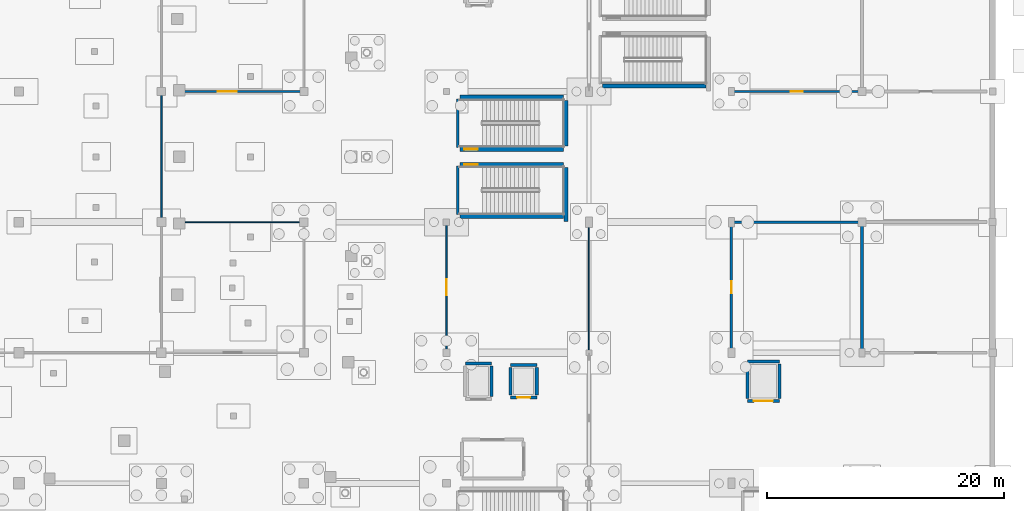
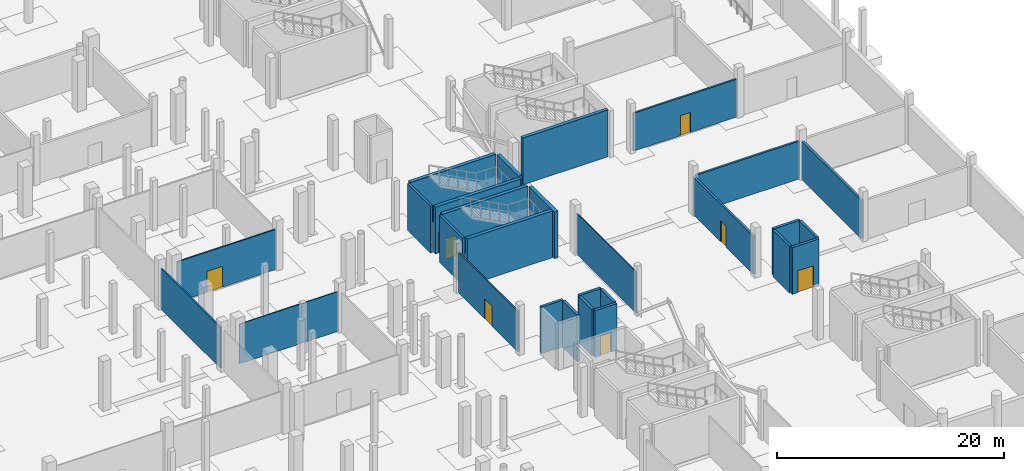
# One storey, part 37 of 60: 28 walls, 8 doors, 8 openings.
"""IFC4 building model written with IfcOpenShell, lengths in metres."""

from ifc_helpers import new_model, si_unit, direction, frame, frame_2d, origin, place, context, subcontext, project, spatial, rectangle, extrude, material, layer, layer_set, type_object, element, fill, save


model = new_model("IFC4")

# Units and contexts
model_context = context("Model", 3, precision=1e-05, world=origin(), true_north=direction((0.0, 1.0)))
body_context = subcontext(model_context, "Body", "Model", "MODEL_VIEW")
ifc_project = project(units=[si_unit("LENGTHUNIT", "METRE"), si_unit("AREAUNIT", "SQUARE_METRE"), si_unit("VOLUMEUNIT", "CUBIC_METRE"), si_unit("PLANEANGLEUNIT", "RADIAN"), si_unit("MASSUNIT", "GRAM", prefix="KILO")], contexts=[model_context])

# Site, building, storey
site_placement = place(None, origin())
site = spatial("IfcSite", under=ifc_project, at=site_placement, CompositionType="ELEMENT")
building_placement = place(site_placement, origin())
building = spatial("IfcBuilding", under=site, at=building_placement, Name="Luwafu Chhajja Arena", CompositionType="ELEMENT")
storey_placement = place(building_placement, frame((0.0, 0.0, -5.39990234375)))
storey = spatial("IfcBuildingStorey", under=building, at=storey_placement, Name="B1", CompositionType="ELEMENT", Elevation=-5.39990234375)

# Walls
ifc_material_1 = material(Name="Acoustic gypsum and mineral wool partition")
ifc_layer_1 = layer(ifc_material_1, 0.199951171875, Name="Acoustic gypsum and mineral wool partition")
ifc_layer_set_1 = layer_set([ifc_layer_1], Name="Acoustic gypsum and mineral wool partition")
wall_type_1 = type_object("IfcWallType", Name="Acoustic Broadcast Studio Partition 200", PredefinedType="PARTITIONING", material=ifc_layer_set_1)
wall_1_placement = place(storey_placement, frame((176.219970703125, 44.0, 0.0), z_axis=(0.0, 0.0, 1.0), x_axis=(1.0, 0.0, 0.0)))
element("IfcWall", 1, at=wall_1_placement, inside=storey, type_object=wall_type_1, Name="B1 Internal Partition 0088", PredefinedType="PARTITIONING", context=body_context, shape_type="SweptSolid", body=[
    extrude(rectangle(XDim=10.56005859375, YDim=0.199951171875, at=frame_2d((5.280029296875, 0.0))), origin(), (0.0, 0.0, 1.0), 4.079833984375),
])
ifc_material_2 = material(Name="Concrete blockwork masonry", Category="masonry")
ifc_layer_2 = layer(ifc_material_2, 0.239990234375, Name="Concrete blockwork masonry")
ifc_layer_set_2 = layer_set([ifc_layer_2], Name="Concrete blockwork masonry")
wall_type_2 = type_object("IfcWallType", Name="Compartment Masonry Partition 240", PredefinedType="PARTITIONING", material=ifc_layer_set_2)
wall_2_placement = place(storey_placement, frame((187.0, 33.219970703125, 0.0), z_axis=(0.0, 0.0, 1.0), x_axis=(0.0, 1.0, 0.0)))
element("IfcWall", 2, at=wall_2_placement, inside=storey, type_object=wall_type_2, Name="B1 Internal Partition 0134", PredefinedType="PARTITIONING", context=body_context, shape_type="SweptSolid", body=[
    extrude(rectangle(XDim=10.56005859375, YDim=0.239990234375, at=frame_2d((5.280029296875, 0.0))), origin(), (0.0, 0.0, 1.0), 4.1298828125),
])
ifc_material_3 = material(Name="Lightweight blockwork partition", Category="masonry")
ifc_layer_3 = layer(ifc_material_3, 0.139892578125, Name="Lightweight blockwork partition")
ifc_layer_set_3 = layer_set([ifc_layer_3], Name="Lightweight blockwork partition")
wall_type_3 = type_object("IfcWallType", Name="Concourse Kiosk Partition 140", PredefinedType="PARTITIONING", material=ifc_layer_set_3)
wall_3_placement = place(storey_placement, frame((128.0, 44.219970703125, 0.0), z_axis=(0.0, 0.0, 1.0), x_axis=(0.0, 1.0, 0.0)))
element("IfcWall", 3, at=wall_3_placement, inside=storey, type_object=wall_type_3, Name="B1 Internal Partition 0012", PredefinedType="PARTITIONING", context=body_context, shape_type="SweptSolid", body=[
    extrude(rectangle(XDim=10.56005859375, YDim=0.139892578125, at=frame_2d((5.280029296875, 0.0))), origin(), (0.0, 0.0, 1.0), 4.40966796875),
])

# Wall, opening, door
wall_4_placement = place(storey_placement, frame((129.7119140625, 55.0, 0.0), z_axis=(0.0, 0.0, 1.0), x_axis=(1.0, 0.0, 0.0)))
wall_4 = element("IfcWall", 4, at=wall_4_placement, inside=storey, type_object=wall_type_3, Name="B1 Internal Partition 0065", PredefinedType="PARTITIONING", context=body_context, shape_type="SweptSolid", body=[
    extrude(rectangle(XDim=10.068115234375, YDim=0.139892578125, at=frame_2d((5.0341796875, 0.0))), origin(), (0.0, 0.0, 1.0), 4.329833984375),
])
opening_1_placement = place(wall_4_placement, frame((3.015869140625, 0.0, 0.0)))
opening_1 = element("IfcOpeningElement", 5, at=opening_1_placement, cuts=wall_4, Name="Opening DR-23", PredefinedType="OPENING", context=body_context, shape_type="SweptSolid", body=[
    extrude(rectangle(XDim=1.6201171875, YDim=2.25, at=frame_2d((0.81005859375, 1.125))), frame((0.0, 0.079833984375, 0.0), z_axis=(0.0, -1.0, 0.0), x_axis=(1.0, 0.0, 0.0)), (0.0, 0.0, 1.0), 0.159912109375),
])
ifc_material_4 = material(Name="Hardwood flush glazed double door", Category="wood")
door_type_1 = type_object("IfcDoorType", Name="DR-23", OperationType="DOUBLE_DOOR_SINGLE_SWING", PredefinedType="DOOR", material=ifc_material_4)
door_1_placement = place(opening_1_placement, origin())
door_1 = element("IfcDoor", 6, at=door_1_placement, inside=storey, type_object=door_type_1, Name="B1 Interior Door B1-D056", OperationType="DOUBLE_DOOR_SINGLE_SWING", OverallHeight=2.25, OverallWidth=1.6201171875, PredefinedType="DOOR", context=body_context, shape_type="SweptSolid", body=[
    extrude(rectangle(XDim=1.6201171875, YDim=2.25, at=frame_2d((0.81005859375, 1.125))), frame((0.0, 0.02490234375, 0.0), z_axis=(0.0, -1.0, 0.0), x_axis=(1.0, 0.0, 0.0)), (0.0, 0.0, 1.0), 0.050048828125),
])
fill(opening_1, door_1)

wall_5_placement = place(storey_placement, frame((152.0, 33.219970703125, 0.0), z_axis=(0.0, 0.0, 1.0), x_axis=(0.0, 1.0, 0.0)))
wall_5 = element("IfcWall", 7, at=wall_5_placement, inside=storey, type_object=wall_type_3, Name="B1 Internal Partition 0075", PredefinedType="PARTITIONING", context=body_context, shape_type="SweptSolid", body=[
    extrude(rectangle(XDim=10.56005859375, YDim=0.139892578125, at=frame_2d((5.280029296875, 0.0))), origin(), (0.0, 0.0, 1.0), 4.346435546875),
])
opening_2_placement = place(wall_5_placement, frame((4.610107421875, 0.0, 0.0)))
opening_2 = element("IfcOpeningElement", 8, at=opening_2_placement, cuts=wall_5, Name="Opening DR-26", PredefinedType="OPENING", context=body_context, shape_type="SweptSolid", body=[
    extrude(rectangle(XDim=1.340087890625, YDim=2.14990234375, at=frame_2d((0.669921875, 1.074951171875))), frame((0.0, 0.079833984375, 0.0), z_axis=(0.0, -1.0, 0.0), x_axis=(1.0, 0.0, 0.0)), (0.0, 0.0, 1.0), 0.159912109375),
])
ifc_material_5 = material(Name="Hardwood service leaf", Category="wood")
door_type_2 = type_object("IfcDoorType", Name="DR-26", OperationType="NOTDEFINED", PredefinedType="DOOR", material=ifc_material_5)
door_2_placement = place(opening_2_placement, origin())
door_2 = element("IfcDoor", 9, at=door_2_placement, inside=storey, type_object=door_type_2, Name="B1 Interior Door B1-D061", OperationType="SINGLE_SWING_RIGHT", OverallHeight=2.14990234375, OverallWidth=1.340087890625, PredefinedType="DOOR", context=body_context, shape_type="SweptSolid", body=[
    extrude(rectangle(XDim=1.340087890625, YDim=2.14990234375, at=frame_2d((0.669921875, 1.074951171875))), frame((0.0, 0.02490234375, 0.0), z_axis=(0.0, -1.0, 0.0), x_axis=(1.0, 0.0, 0.0)), (0.0, 0.0, 1.0), 0.050048828125),
])
fill(opening_2, door_2)

# Walls
ifc_material_6 = material(Name="Gypsum plasterboard partition")
ifc_layer_4 = layer(ifc_material_6, 0.10009765625, Name="Gypsum plasterboard partition")
ifc_layer_set_4 = layer_set([ifc_layer_4], Name="Gypsum plasterboard partition")
wall_type_4 = type_object("IfcWallType", Name="Drywall Lining Partition 100", PredefinedType="PARTITIONING", material=ifc_layer_set_4)
wall_6_placement = place(storey_placement, frame((129.7119140625, 44.0, 0.0), z_axis=(0.0, 0.0, 1.0), x_axis=(1.0, 0.0, 0.0)))
element("IfcWall", 10, at=wall_6_placement, inside=storey, type_object=wall_type_4, Name="B1 Internal Partition 0063", PredefinedType="PARTITIONING", context=body_context, shape_type="SweptSolid", body=[
    extrude(rectangle(XDim=10.068115234375, YDim=0.10009765625, at=frame_2d((5.0341796875, 0.0))), origin(), (0.0, 0.0, 1.0), 4.27978515625),
])
wall_7_placement = place(storey_placement, frame((164.0, 33.2099609375, 0.0), z_axis=(0.0, 0.0, 1.0), x_axis=(0.0, 1.0, 0.0)))
element("IfcWall", 11, at=wall_7_placement, inside=storey, type_object=wall_type_4, Name="B1 Internal Partition 0079", PredefinedType="PARTITIONING", context=body_context, shape_type="SweptSolid", body=[
    extrude(rectangle(XDim=10.570068359375, YDim=0.10009765625, at=frame_2d((5.28515625, 0.0))), origin(), (0.0, 0.0, 1.0), 4.40966796875),
])

# Wall, opening, door
ifc_layer_5 = layer(ifc_material_2, 0.179931640625, Name="Concrete blockwork masonry")
ifc_layer_set_5 = layer_set([ifc_layer_5], Name="Concrete blockwork masonry")
wall_type_5 = type_object("IfcWallType", Name="Hospitality Suite Partition 180", PredefinedType="PARTITIONING", material=ifc_layer_set_5)
wall_8_placement = place(storey_placement, frame((176.219970703125, 55.0, 0.0), z_axis=(0.0, 0.0, 1.0), x_axis=(1.0, 0.0, 0.0)))
wall_8 = element("IfcWall", 12, at=wall_8_placement, inside=storey, type_object=wall_type_5, Name="B1 Internal Partition 0089", PredefinedType="PARTITIONING", context=body_context, shape_type="SweptSolid", body=[
    extrude(rectangle(XDim=10.56005859375, YDim=0.179931640625, at=frame_2d((5.280029296875, 0.0))), origin(), (0.0, 0.0, 1.0), 4.079833984375),
])
opening_3_placement = place(wall_8_placement, frame((4.780029296875, 0.0, 0.0)))
opening_3 = element("IfcOpeningElement", 13, at=opening_3_placement, cuts=wall_8, Name="Opening DR-18", PredefinedType="OPENING", context=body_context, shape_type="SweptSolid", body=[
    extrude(rectangle(XDim=1.0, YDim=2.14990234375, at=frame_2d((0.5, 1.074951171875))), frame((0.0, 0.099853515625, 0.0), z_axis=(0.0, -1.0, 0.0), x_axis=(1.0, 0.0, 0.0)), (0.0, 0.0, 1.0), 0.199951171875),
])
ifc_material_7 = material(Name="Solid-core moisture-resistant laminate leaf")
door_type_3 = type_object("IfcDoorType", Name="DR-18", OperationType="NOTDEFINED", PredefinedType="DOOR", material=ifc_material_7)
door_3_placement = place(opening_3_placement, origin())
door_3 = element("IfcDoor", 14, at=door_3_placement, inside=storey, type_object=door_type_3, Name="B1 Interior Door B1-D070", OperationType="SINGLE_SWING_LEFT", OverallHeight=2.14990234375, OverallWidth=1.0, PredefinedType="DOOR", context=body_context, shape_type="SweptSolid", body=[
    extrude(rectangle(XDim=1.0, YDim=2.14990234375, at=frame_2d((0.5, 1.074951171875))), frame((0.0, 0.02490234375, 0.0), z_axis=(0.0, -1.0, 0.0), x_axis=(1.0, 0.0, 0.0)), (0.0, 0.0, 1.0), 0.050048828125),
])
fill(opening_3, door_3)

# Walls
ifc_material_8 = material(Name="Concrete C35/45", Category="concrete")
ifc_layer_6 = layer(ifc_material_8, 0.260009765625, Name="Concrete C35/45")
ifc_layer_set_6 = layer_set([ifc_layer_6], Name="Concrete C35/45")
wall_type_6 = type_object("IfcWallType", Name="Lift and Riser Shaft Wall 260", PredefinedType="SOLIDWALL", material=ifc_layer_set_6)
wall_9_placement = place(storey_placement, frame((153.590087890625, 32.0849609375, 0.0), z_axis=(0.0, 0.0, 1.0), x_axis=(1.0, 0.0, 0.0)))
element("IfcWall", 15, at=wall_9_placement, inside=storey, type_object=wall_type_6, Name="B1 Lift LF-02 Shaft Wall N", PredefinedType="SOLIDWALL", context=body_context, shape_type="SweptSolid", body=[
    extrude(rectangle(XDim=2.219970703125, YDim=0.260009765625, at=frame_2d((1.10986328125, 0.0))), origin(), (0.0, 0.0, 1.0), 5.039794921875),
])
wall_10_placement = place(storey_placement, frame((155.81005859375, 29.31494140625, 0.0), z_axis=(0.0, 0.0, 1.0), x_axis=(0.0, 1.0, 0.0)))
element("IfcWall", 16, at=wall_10_placement, inside=storey, type_object=wall_type_6, Name="B1 Lift LF-02 Shaft Wall E", PredefinedType="SOLIDWALL", context=body_context, shape_type="SweptSolid", body=[
    extrude(rectangle(XDim=2.570068359375, YDim=0.260009765625, at=frame_2d((1.28515625, 0.0))), origin(), (0.0, 0.0, 1.0), 5.039794921875),
])

# Wall, opening, door
wall_11_placement = place(storey_placement, frame((157.389892578125, 29.239990234375, 0.0), z_axis=(0.0, 0.0, 1.0), x_axis=(1.0, 0.0, 0.0)))
wall_11 = element("IfcWall", 17, at=wall_11_placement, inside=storey, type_object=wall_type_6, Name="B1 Lift LF-06 Shaft Wall S", PredefinedType="SOLIDWALL", context=body_context, shape_type="SweptSolid", body=[
    extrude(rectangle(XDim=2.22021484375, YDim=0.260009765625, at=frame_2d((1.110107421875, 0.0))), origin(), (0.0, 0.0, 1.0), 5.039794921875),
])
opening_4_placement = place(wall_11_placement, frame((0.56005859375, 0.0, 0.0)))
opening_4 = element("IfcOpeningElement", 18, at=opening_4_placement, cuts=wall_11, Name="Opening LD-01", PredefinedType="OPENING", context=body_context, shape_type="SweptSolid", body=[
    extrude(rectangle(XDim=1.10009765625, YDim=2.14990234375, at=frame_2d((0.550048828125, 1.074951171875))), frame((0.0, 0.139892578125, 0.0), z_axis=(0.0, -1.0, 0.0), x_axis=(1.0, 0.0, 0.0)), (0.0, 0.0, 1.0), 0.280029296875),
])
ifc_material_9 = material(Name="Brushed stainless steel sliding leaves", Category="steel")
door_type_4 = type_object("IfcDoorType", Name="LD-01", OperationType="SLIDING_TO_LEFT", PredefinedType="DOOR", material=ifc_material_9)
door_4_placement = place(opening_4_placement, origin())
door_4 = element("IfcDoor", 19, at=door_4_placement, inside=storey, type_object=door_type_4, Name="B1 Lift LF-06 Landing Door B1-LD04", OperationType="SLIDING_TO_LEFT", OverallHeight=2.14990234375, OverallWidth=1.10009765625, PredefinedType="DOOR", context=body_context, shape_type="SweptSolid", body=[
    extrude(rectangle(XDim=1.10009765625, YDim=2.14990234375, at=frame_2d((0.550048828125, 1.074951171875))), frame((0.0, 0.02490234375, 0.0), z_axis=(0.0, -1.0, 0.0), x_axis=(1.0, 0.0, 0.0)), (0.0, 0.0, 1.0), 0.050048828125),
])
fill(opening_4, door_4)

# Walls
wall_12_placement = place(storey_placement, frame((157.389892578125, 31.9599609375, 0.0), z_axis=(0.0, 0.0, 1.0), x_axis=(1.0, 0.0, 0.0)))
element("IfcWall", 20, at=wall_12_placement, inside=storey, type_object=wall_type_6, Name="B1 Lift LF-06 Shaft Wall N", PredefinedType="SOLIDWALL", context=body_context, shape_type="SweptSolid", body=[
    extrude(rectangle(XDim=2.22021484375, YDim=0.260009765625, at=frame_2d((1.110107421875, 0.0))), origin(), (0.0, 0.0, 1.0), 5.039794921875),
])
for number, where, z_axis, x_axis, name in (
    (21, (157.389892578125, 29.43994140625, 0.0), (0.0, 0.0, 1.0), (0.0, 1.0, 0.0), "B1 Lift LF-06 Shaft Wall W"),
    (22, (159.610107421875, 29.43994140625, 0.0), (0.0, 0.0, 1.0), (0.0, 1.0, 0.0), "B1 Lift LF-06 Shaft Wall E"),
):
    element("IfcWall", number, at=place(storey_placement, frame(where, z_axis=z_axis, x_axis=x_axis)), inside=storey, type_object=wall_type_6, Name=name, PredefinedType="SOLIDWALL", context=body_context, shape_type="SweptSolid", body=[
        extrude(rectangle(XDim=2.320068359375, YDim=0.260009765625, at=frame_2d((1.16015625, 0.0))), origin(), (0.0, 0.0, 1.0), 5.039794921875),
    ])

# Wall, opening, door
wall_13_placement = place(storey_placement, frame((177.340087890625, 28.93994140625, 0.0), z_axis=(0.0, 0.0, 1.0), x_axis=(1.0, 0.0, 0.0)))
wall_13 = element("IfcWall", 23, at=wall_13_placement, inside=storey, type_object=wall_type_6, Name="B1 Lift LF-12 Shaft Wall S", PredefinedType="SOLIDWALL", context=body_context, shape_type="SweptSolid", body=[
    extrude(rectangle(XDim=2.719970703125, YDim=0.260009765625, at=frame_2d((1.35986328125, 0.0))), origin(), (0.0, 0.0, 1.0), 5.039794921875),
])
opening_5_placement = place(wall_13_placement, frame((0.56005859375, 0.0, 0.0)))
opening_5 = element("IfcOpeningElement", 24, at=opening_5_placement, cuts=wall_13, Name="Opening LD-03", PredefinedType="OPENING", context=body_context, shape_type="SweptSolid", body=[
    extrude(rectangle(XDim=1.60009765625, YDim=2.35009765625, at=frame_2d((0.800048828125, 1.175048828125))), frame((0.0, 0.139892578125, 0.0), z_axis=(0.0, -1.0, 0.0), x_axis=(1.0, 0.0, 0.0)), (0.0, 0.0, 1.0), 0.280029296875),
])
door_type_5 = type_object("IfcDoorType", Name="LD-03", OperationType="DOUBLE_DOOR_SLIDING", PredefinedType="DOOR", material=ifc_material_9)
door_5_placement = place(opening_5_placement, origin())
door_5 = element("IfcDoor", 25, at=door_5_placement, inside=storey, type_object=door_type_5, Name="B1 Lift LF-12 Landing Door B1-LD12", OperationType="DOUBLE_DOOR_SLIDING", OverallHeight=2.35009765625, OverallWidth=1.60009765625, PredefinedType="DOOR", context=body_context, shape_type="SweptSolid", body=[
    extrude(rectangle(XDim=1.60009765625, YDim=2.35009765625, at=frame_2d((0.800048828125, 1.175048828125))), frame((0.0, 0.02490234375, 0.0), z_axis=(0.0, -1.0, 0.0), x_axis=(1.0, 0.0, 0.0)), (0.0, 0.0, 1.0), 0.050048828125),
])
fill(opening_5, door_5)

# Walls
wall_14_placement = place(storey_placement, frame((177.340087890625, 32.260009765625, 0.0), z_axis=(0.0, 0.0, 1.0), x_axis=(1.0, 0.0, 0.0)))
element("IfcWall", 26, at=wall_14_placement, inside=storey, type_object=wall_type_6, Name="B1 Lift LF-12 Shaft Wall N", PredefinedType="SOLIDWALL", context=body_context, shape_type="SweptSolid", body=[
    extrude(rectangle(XDim=2.719970703125, YDim=0.260009765625, at=frame_2d((1.35986328125, 0.0))), origin(), (0.0, 0.0, 1.0), 5.039794921875),
])
for number, where, z_axis, x_axis, name in (
    (27, (177.340087890625, 29.139892578125, 0.0), (0.0, 0.0, 1.0), (0.0, 1.0, 0.0), "B1 Lift LF-12 Shaft Wall W"),
    (28, (180.06005859375, 29.139892578125, 0.0), (0.0, 0.0, 1.0), (0.0, 1.0, 0.0), "B1 Lift LF-12 Shaft Wall E"),
):
    element("IfcWall", number, at=place(storey_placement, frame(where, z_axis=z_axis, x_axis=x_axis)), inside=storey, type_object=wall_type_6, Name=name, PredefinedType="SOLIDWALL", context=body_context, shape_type="SweptSolid", body=[
        extrude(rectangle(XDim=2.920166015625, YDim=0.260009765625, at=frame_2d((1.4599609375, 0.0))), origin(), (0.0, 0.0, 1.0), 5.039794921875),
    ])

# Wall, opening, door
ifc_layer_7 = layer(ifc_material_2, 0.219970703125, Name="Concrete blockwork masonry")
ifc_layer_set_7 = layer_set([ifc_layer_7], Name="Concrete blockwork masonry")
wall_type_7 = type_object("IfcWallType", Name="Protected Corridor Partition 220", PredefinedType="PARTITIONING", material=ifc_layer_set_7)
wall_15_placement = place(storey_placement, frame((176.0, 33.219970703125, 0.0), z_axis=(0.0, 0.0, 1.0), x_axis=(0.0, 1.0, 0.0)))
wall_15 = element("IfcWall", 29, at=wall_15_placement, inside=storey, type_object=wall_type_7, Name="B1 Internal Partition 0084", PredefinedType="PARTITIONING", context=body_context, shape_type="SweptSolid", body=[
    extrude(rectangle(XDim=10.56005859375, YDim=0.219970703125, at=frame_2d((5.280029296875, 0.0))), origin(), (0.0, 0.0, 1.0), 4.079833984375),
])
opening_6_placement = place(wall_15_placement, frame((4.77001953125, 0.0, 0.0)))
opening_6 = element("IfcOpeningElement", 30, at=opening_6_placement, cuts=wall_15, Name="Opening DR-13", PredefinedType="OPENING", context=body_context, shape_type="SweptSolid", body=[
    extrude(rectangle(XDim=1.02001953125, YDim=2.25, at=frame_2d((0.510009765625, 1.125))), frame((0.0, 0.119873046875, 0.0), z_axis=(0.0, -1.0, 0.0), x_axis=(1.0, 0.0, 0.0)), (0.0, 0.0, 1.0), 0.239990234375),
])
ifc_material_10 = material(Name="Veneered hardwood acoustic leaf", Category="wood")
door_type_6 = type_object("IfcDoorType", Name="DR-13", OperationType="NOTDEFINED", PredefinedType="DOOR", material=ifc_material_10)
door_6_placement = place(opening_6_placement, origin())
door_6 = element("IfcDoor", 31, at=door_6_placement, inside=storey, type_object=door_type_6, Name="B1 Interior Door B1-D066", OperationType="SINGLE_SWING_LEFT", OverallHeight=2.25, OverallWidth=1.02001953125, PredefinedType="DOOR", context=body_context, shape_type="SweptSolid", body=[
    extrude(rectangle(XDim=1.02001953125, YDim=2.25, at=frame_2d((0.510009765625, 1.125))), frame((0.0, 0.02490234375, 0.0), z_axis=(0.0, -1.0, 0.0), x_axis=(1.0, 0.0, 0.0)), (0.0, 0.0, 1.0), 0.050048828125),
])
fill(opening_6, door_6)

# Walls
ifc_material_11 = material(Name="Concrete C40/50", Category="concrete")
ifc_layer_8 = layer(ifc_material_11, 0.35009765625, Name="Concrete C40/50")
ifc_layer_set_8 = layer_set([ifc_layer_8], Name="Concrete C40/50")
wall_type_8 = type_object("IfcWallType", Name="RC Core Shear Wall 350", PredefinedType="SOLIDWALL", material=ifc_layer_set_8)
wall_16_placement = place(storey_placement, frame((162.072021484375, 44.050048828125, 0.0), z_axis=(0.0, 0.0, 1.0), x_axis=(0.0, 1.0, 0.0)))
element("IfcWall", 32, at=wall_16_placement, inside=storey, type_object=wall_type_8, Name="B1 Stair ST-11 Core Shear Wall E", PredefinedType="SOLIDWALL", context=body_context, shape_type="SweptSolid", body=[
    extrude(rectangle(XDim=4.5400390625, YDim=0.35009765625, at=frame_2d((2.27001953125, 0.0))), origin(), (0.0, 0.0, 1.0), 5.039794921875),
])
wall_17_placement = place(storey_placement, frame((153.14990234375, 44.47802734375, 0.0), z_axis=(0.0, 0.0, 1.0), x_axis=(1.0, 0.0, 0.0)))
element("IfcWall", 33, at=wall_17_placement, inside=storey, type_object=wall_type_8, Name="B1 Stair ST-11 Core Shear Wall S", PredefinedType="SOLIDWALL", context=body_context, shape_type="SweptSolid", body=[
    extrude(rectangle(XDim=8.7001953125, YDim=0.35009765625, at=frame_2d((4.35009765625, 0.0))), origin(), (0.0, 0.0, 1.0), 5.039794921875),
])

# Wall, opening, door
wall_18_placement = place(storey_placement, frame((153.14990234375, 48.862060546875, 0.0), z_axis=(0.0, 0.0, 1.0), x_axis=(1.0, 0.0, 0.0)))
wall_18 = element("IfcWall", 34, at=wall_18_placement, inside=storey, type_object=wall_type_8, Name="B1 Stair ST-11 Core Shear Wall N", PredefinedType="SOLIDWALL", context=body_context, shape_type="SweptSolid", body=[
    extrude(rectangle(XDim=8.7001953125, YDim=0.35009765625, at=frame_2d((4.35009765625, 0.0))), origin(), (0.0, 0.0, 1.0), 5.039794921875),
])
opening_7_placement = place(wall_18_placement, frame((0.35009765625, 0.0, 0.0)))
opening_7 = element("IfcOpeningElement", 35, at=opening_7_placement, cuts=wall_18, Name="Opening DR-06", PredefinedType="OPENING", context=body_context, shape_type="SweptSolid", body=[
    extrude(rectangle(XDim=1.14990234375, YDim=2.199951171875, at=frame_2d((0.574951171875, 1.10009765625))), frame((0.0, 0.18505859375, 0.0), z_axis=(0.0, -1.0, 0.0), x_axis=(1.0, 0.0, 0.0)), (0.0, 0.0, 1.0), 0.3701171875),
])
ifc_material_12 = material(Name="Fire-rated hardwood and steel core", Category="steel")
door_type_7 = type_object("IfcDoorType", Name="DR-06", OperationType="NOTDEFINED", PredefinedType="DOOR", material=ifc_material_12)
door_7_placement = place(opening_7_placement, origin())
door_7 = element("IfcDoor", 36, at=door_7_placement, inside=storey, type_object=door_type_7, Name="B1 Escape Stair ST-11 Fire Door B1-D019", OperationType="SINGLE_SWING_RIGHT", OverallHeight=2.199951171875, OverallWidth=1.14990234375, PredefinedType="DOOR", context=body_context, shape_type="SweptSolid", body=[
    extrude(rectangle(XDim=1.14990234375, YDim=2.199951171875, at=frame_2d((0.574951171875, 1.10009765625))), frame((0.0, 0.02490234375, 0.0), z_axis=(0.0, -1.0, 0.0), x_axis=(1.0, 0.0, 0.0)), (0.0, 0.0, 1.0), 0.050048828125),
])
fill(opening_7, door_7)

# Wall
wall_19_placement = place(storey_placement, frame((162.072021484375, 50.409912109375, 0.0), z_axis=(0.0, 0.0, 1.0), x_axis=(0.0, 1.0, 0.0)))
element("IfcWall", 37, at=wall_19_placement, inside=storey, type_object=wall_type_8, Name="B1 Stair ST-12 Core Shear Wall E", PredefinedType="SOLIDWALL", context=body_context, shape_type="SweptSolid", body=[
    extrude(rectangle(XDim=3.840087890625, YDim=0.35009765625, at=frame_2d((1.919921875, 0.0))), origin(), (0.0, 0.0, 1.0), 5.039794921875),
])

# Wall, opening, door
wall_20_placement = place(storey_placement, frame((153.14990234375, 50.137939453125, 0.0), z_axis=(0.0, 0.0, 1.0), x_axis=(1.0, 0.0, 0.0)))
wall_20 = element("IfcWall", 38, at=wall_20_placement, inside=storey, type_object=wall_type_8, Name="B1 Stair ST-12 Core Shear Wall S", PredefinedType="SOLIDWALL", context=body_context, shape_type="SweptSolid", body=[
    extrude(rectangle(XDim=8.7001953125, YDim=0.35009765625, at=frame_2d((4.35009765625, 0.0))), origin(), (0.0, 0.0, 1.0), 5.039794921875),
])
opening_8_placement = place(wall_20_placement, frame((0.35009765625, 0.0, 0.0)))
opening_8 = element("IfcOpeningElement", 39, at=opening_8_placement, cuts=wall_20, Name="Opening DR-06", PredefinedType="OPENING", context=body_context, shape_type="SweptSolid", body=[
    extrude(rectangle(XDim=1.14990234375, YDim=2.199951171875, at=frame_2d((0.574951171875, 1.10009765625))), frame((0.0, 0.18505859375, 0.0), z_axis=(0.0, -1.0, 0.0), x_axis=(1.0, 0.0, 0.0)), (0.0, 0.0, 1.0), 0.3701171875),
])
door_8_placement = place(opening_8_placement, origin())
door_8 = element("IfcDoor", 40, at=door_8_placement, inside=storey, type_object=door_type_7, Name="B1 Escape Stair ST-12 Fire Door B1-D020", OperationType="SINGLE_SWING_LEFT", OverallHeight=2.199951171875, OverallWidth=1.14990234375, PredefinedType="DOOR", context=body_context, shape_type="SweptSolid", body=[
    extrude(rectangle(XDim=1.14990234375, YDim=2.199951171875, at=frame_2d((0.574951171875, 1.10009765625))), frame((0.0, 0.02490234375, 0.0), z_axis=(0.0, -1.0, 0.0), x_axis=(1.0, 0.0, 0.0)), (0.0, 0.0, 1.0), 0.050048828125),
])
fill(opening_8, door_8)

# Walls
for number, where, z_axis, x_axis, name in (
    (41, (153.14990234375, 54.52197265625, 0.0), (0.0, 0.0, 1.0), (1.0, 0.0, 0.0), "B1 Stair ST-12 Core Shear Wall N"),
    (42, (165.14990234375, 55.47802734375, 0.0), (0.0, 0.0, 1.0), (1.0, 0.0, 0.0), "B1 Stair ST-19 Core Shear Wall S"),
):
    element("IfcWall", number, at=place(storey_placement, frame(where, z_axis=z_axis, x_axis=x_axis)), inside=storey, type_object=wall_type_8, Name=name, PredefinedType="SOLIDWALL", context=body_context, shape_type="SweptSolid", body=[
        extrude(rectangle(XDim=8.7001953125, YDim=0.35009765625, at=frame_2d((4.35009765625, 0.0))), origin(), (0.0, 0.0, 1.0), 5.039794921875),
    ])
ifc_layer_9 = layer(ifc_material_8, 0.22998046875, Name="Concrete C35/45")
ifc_layer_set_9 = layer_set([ifc_layer_9], Name="Concrete C35/45")
wall_type_9 = type_object("IfcWallType", Name="Stair Enclosure Wall 230", PredefinedType="SOLIDWALL", material=ifc_layer_set_9)
for number, where, z_axis, x_axis, name in (
    (43, (152.9599609375, 44.6298828125, 0.0), (0.0, 0.0, 1.0), (0.0, 1.0, 0.0), "B1 Stair ST-11 Enclosure Wall W"),
    (44, (152.9599609375, 50.2900390625, 0.0), (0.0, 0.0, 1.0), (0.0, 1.0, 0.0), "B1 Stair ST-12 Enclosure Wall W"),
):
    element("IfcWall", number, at=place(storey_placement, frame(where, z_axis=z_axis, x_axis=x_axis)), inside=storey, type_object=wall_type_9, Name=name, PredefinedType="SOLIDWALL", context=body_context, shape_type="SweptSolid", body=[
        extrude(rectangle(XDim=4.080078125, YDim=0.22998046875, at=frame_2d((2.0400390625, 0.0))), origin(), (0.0, 0.0, 1.0), 5.039794921875),
    ])

save(model, "model.ifc")
